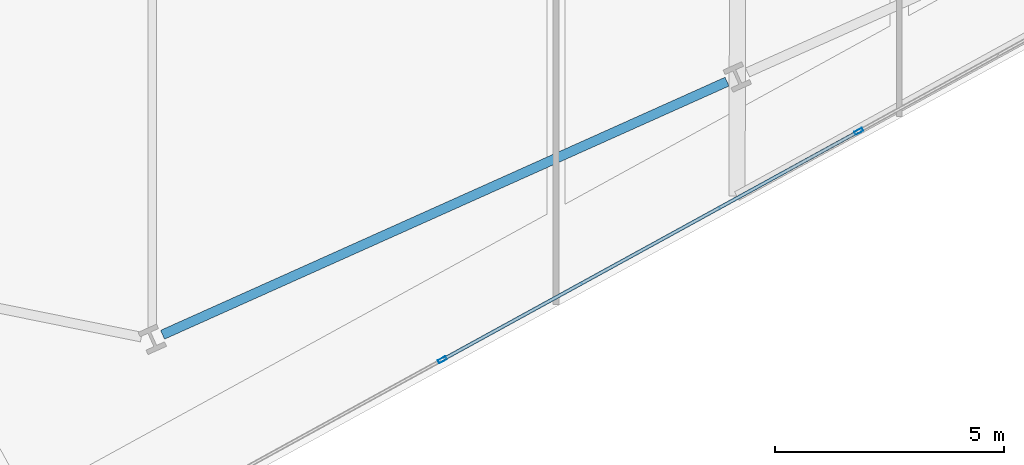
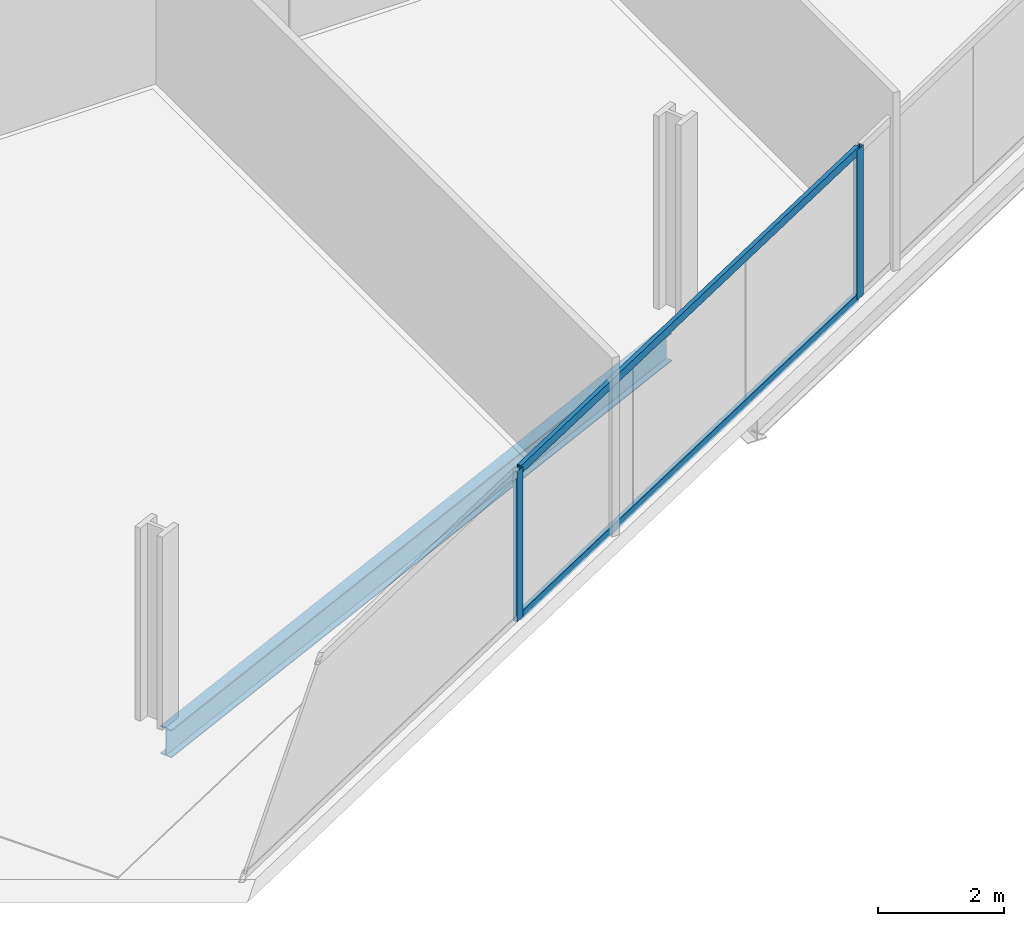
# One storey, part 7 of 33: 4 members, 1 beam, 1 element without a shape of its own.
"""IFC4 building model written with IfcOpenShell, lengths in metres."""

from ifc_helpers import new_model, si_unit, direction, frame, origin, origin_2d, place, context, subcontext, project, spatial, hollow_rectangle, i_section, extrude, material, material_profile, profile_set, type_object, element, aggregate, save


model = new_model("IFC4")

# Units and contexts
model_context = context("Model", 3, precision=1e-05, world=origin(), true_north=direction((0.0, 1.0)))
body_context = subcontext(model_context, "Body", "Model", "MODEL_VIEW")
ifc_project = project(units=[si_unit("LENGTHUNIT", "METRE"), si_unit("AREAUNIT", "SQUARE_METRE"), si_unit("VOLUMEUNIT", "CUBIC_METRE"), si_unit("PLANEANGLEUNIT", "RADIAN"), si_unit("MASSUNIT", "GRAM", prefix="KILO")], contexts=[model_context])

# Site, building, storey
site_placement = place(None, origin())
site = spatial("IfcSite", under=ifc_project, at=site_placement, CompositionType="ELEMENT")
building_placement = place(site_placement, origin())
building = spatial("IfcBuilding", under=site, at=building_placement, Name="Haldenkirk Collegiate Tower", CompositionType="ELEMENT")
storey_placement = place(building_placement, frame((0.0, 0.0, 124.199951171875)))
storey = spatial("IfcBuildingStorey", under=building, at=storey_placement, Name="L30", CompositionType="ELEMENT", Elevation=124.199951171875)

# Beam
ifc_material_1 = material(Name="Steel ASTM A992 Grade 50", Category="steel")
ifc_material_profile_1 = material_profile(ifc_material_1, i_section(OverallWidth=0.2119140625, OverallDepth=0.5439453125, WebThickness=0.01318359375, FlangeThickness=0.021240234375, at=origin_2d()), Name="W21X83")
ifc_profile_set_1 = profile_set([ifc_material_profile_1], Name="Steel ASTM A992 Grade 50")
beam_type = type_object("IfcBeamType", Name="BM-SPANDREL-W21X83", PredefinedType="SPANDREL", material=ifc_profile_set_1)
beam_placement = place(storey_placement, frame((32.405517578125, 0.3876953125, -0.572021484375), z_axis=(0.912476765144, 0.409128528793, 0.0), x_axis=(-0.409128528793, 0.912476765144, 0.0)))
element("IfcBeam", 1, at=beam_placement, inside=storey, type_object=beam_type, Name="L30 perimeter spandrel beam 02", PredefinedType="SPANDREL", context=body_context, shape_type="SweptSolid", body=[
    extrude(i_section(OverallWidth=0.2119140625, OverallDepth=0.5439453125, WebThickness=0.01318359375, FlangeThickness=0.021240234375, at=origin_2d()), origin(), (0.0, 0.0, 1.0), 13.512939453125),
])

# Curtain wall, members
ifc_material_2 = material(Name="Anodised architectural bronze aluminium", Category="aluminium")
curtain_wall_type = type_object("IfcCurtainWallType", Name="CW-SYS2-CONCAVE", PredefinedType="USERDEFINED", material=ifc_material_2)
curtain_wall_placement = place(storey_placement, origin())
curtain_wall = element("IfcCurtainWall", 2, at=curtain_wall_placement, inside=storey, type_object=curtain_wall_type, Name="L30 South concave recessed bronze-anodised curtain wall", ObjectType="UNITISED CURTAIN WALL", PredefinedType="USERDEFINED")
ifc_material_profile_2 = material_profile(ifc_material_2, hollow_rectangle(XDim=0.074951171875, YDim=0.18994140625, WallThickness=0.0048828125, at=origin_2d()), Name="CW-MUL-02")
ifc_profile_set_2 = profile_set([ifc_material_profile_2], Name="Anodised architectural bronze aluminium")
member_type_1 = type_object("IfcMemberType", Name="CW-MUL-02", PredefinedType="MULLION", material=ifc_profile_set_2)
member_1_placement = place(storey_placement, frame((47.613525390625, 4.831298828125, 0.0), z_axis=(0.0, 0.0, 1.0), x_axis=(0.480988754199, -0.876726763783, 0.0)))
member_1 = element("IfcMember", 3, at=member_1_placement, type_object=member_type_1, Name="CW-02 mullion 3", PredefinedType="MULLION", context=body_context, shape_type="SweptSolid", body=[
    extrude(hollow_rectangle(XDim=0.074951171875, YDim=0.18994140625, WallThickness=0.0048828125, at=origin_2d()), origin(), (0.0, 0.0, 1.0), 2.901123046875),
])
member_2_placement = place(storey_placement, frame((38.517333984375, -0.158935546875, 0.0), z_axis=(0.0, 0.0, 1.0), x_axis=(0.480988754199, -0.876726763783, 0.0)))
member_2 = element("IfcMember", 4, at=member_2_placement, type_object=member_type_1, Name="CW-02 mullion 4", PredefinedType="MULLION", context=body_context, shape_type="SweptSolid", body=[
    extrude(hollow_rectangle(XDim=0.074951171875, YDim=0.18994140625, WallThickness=0.0048828125, at=origin_2d()), origin(), (0.0, 0.0, 1.0), 2.901123046875),
])
ifc_material_profile_3 = material_profile(ifc_material_2, hollow_rectangle(XDim=0.074951171875, YDim=0.159912109375, WallThickness=0.0048828125, at=origin_2d()), Name="CW-TRN-02")
ifc_profile_set_3 = profile_set([ifc_material_profile_3], Name="Anodised architectural bronze aluminium")
member_type_2 = type_object("IfcMemberType", Name="CW-TRN-02", PredefinedType="USERDEFINED", material=ifc_profile_set_3)
member_3_placement = place(storey_placement, frame((47.58056640625, 4.8134765625, 0.03759765625), z_axis=(-0.876719875597, -0.481001309492, 0.0), x_axis=(0.481001309492, -0.876719875597, 0.0)))
member_3 = element("IfcMember", 5, at=member_3_placement, type_object=member_type_2, Name="CW-02 transom 3.1", ObjectType="TRANSOM", PredefinedType="USERDEFINED", context=body_context, shape_type="SweptSolid", body=[
    extrude(hollow_rectangle(XDim=0.074951171875, YDim=0.159912109375, WallThickness=0.0048828125, at=origin_2d()), origin(), (0.0, 0.0, 1.0), 10.300048828125),
])
member_4_placement = place(storey_placement, frame((47.58056640625, 4.8134765625, 2.863525390625), z_axis=(-0.876719875597, -0.481001309492, 0.0), x_axis=(0.481001309492, -0.876719875597, 0.0)))
member_4 = element("IfcMember", 6, at=member_4_placement, type_object=member_type_2, Name="CW-02 transom 3.2", ObjectType="TRANSOM", PredefinedType="USERDEFINED", context=body_context, shape_type="SweptSolid", body=[
    extrude(hollow_rectangle(XDim=0.074951171875, YDim=0.159912109375, WallThickness=0.0048828125, at=origin_2d()), origin(), (0.0, 0.0, 1.0), 10.300048828125),
])
aggregate(curtain_wall, [member_1, member_2, member_3, member_4])

save(model, "model.ifc")
